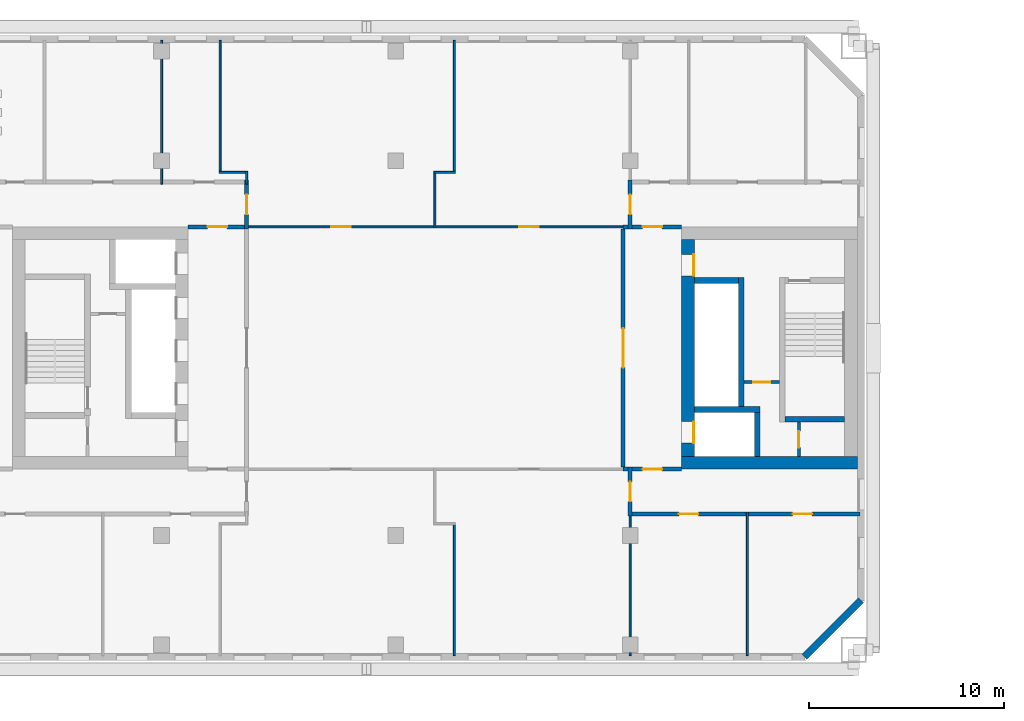
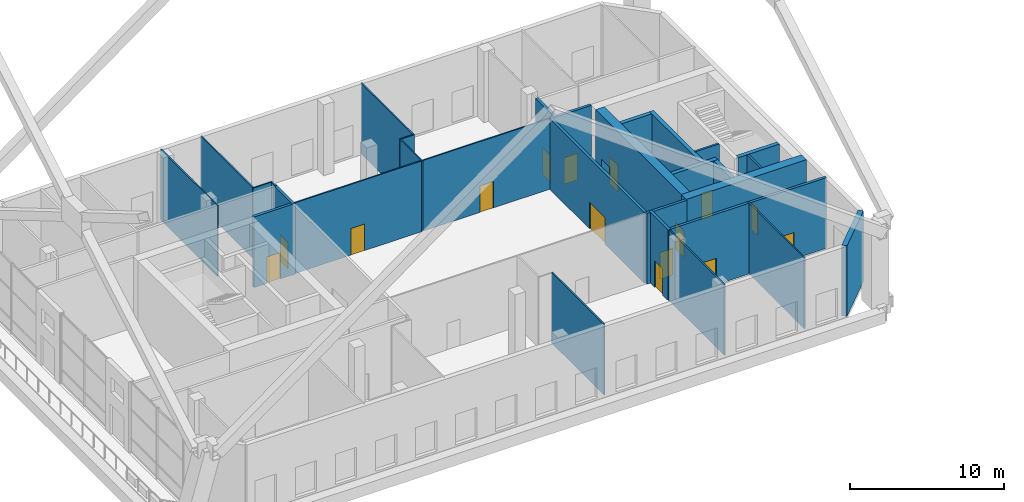
# One storey, part 11 of 20: 29 walls, 15 doors, 15 openings.
"""IFC4 building model written with IfcOpenShell, lengths in metres."""

import ifcopenshell
import ifcopenshell.guid

model = None  # the IFC model being written
_history = None  # IfcOwnerHistory: only IFC2X3 demands one
_inside = {}  # id of a spatial element -> (the spatial element, [elements in it])
_under = {}  # id of a project, library or spatial element -> (it, [spatial elements below it])
_declared = {}  # id of a project -> (the project, [libraries it declares])
_typed = {}  # id of a type object -> (the type object, [elements of that type])
_made_of = {}  # id of a material, layer set ... -> (it, [elements and type objects made of it])


def new_model(schema):
    """Start an empty IFC model of exactly this schema.

    Asked for "IFC4X3", IfcOpenShell would pick the latest addendum, in which some entities
    have other attributes; the version numbers below select the first issue.
    IFC2X3 requires an IfcOwnerHistory on every rooted entity: one is made here for all.
    """
    global model, _history
    if schema == "IFC4X3":
        model = ifcopenshell.file(schema_version=(4, 3, 0, 0))
    else:
        model = ifcopenshell.file(schema=schema)
    _inside.clear()
    _under.clear()
    _declared.clear()
    _typed.clear()
    _made_of.clear()
    _history = None
    if model.schema == "IFC2X3":
        org = make("IfcOrganization", Name="unknown")
        user = make(
            "IfcPersonAndOrganization",
            ThePerson=make("IfcPerson", FamilyName="unknown"),
            TheOrganization=org,
        )
        app = make(
            "IfcApplication",
            ApplicationDeveloper=org,
            Version="unknown",
            ApplicationFullName="unknown",
            ApplicationIdentifier="unknown",
        )
        _history = make(
            "IfcOwnerHistory",
            OwningUser=user,
            OwningApplication=app,
            ChangeAction="ADDED",
            CreationDate=0,
        )
    return model


def make(cls, **values):
    """One entity of the class cls with the attributes given. An attribute that is None is left unset."""
    return model.create_entity(
        cls, **{name: value for name, value in values.items() if value is not None}
    )


def rooted(cls, **values):
    """An entity with a GlobalId (a new one), such as an element, a storey or a relation."""
    return make(cls, GlobalId=ifcopenshell.guid.new(), OwnerHistory=_history, **values)


def si_unit(unit_type, name, prefix=None):
    """IfcSIUnit, for example si_unit("LENGTHUNIT", "METRE", prefix="MILLI")."""
    return make("IfcSIUnit", UnitType=unit_type, Prefix=prefix, Name=name)


def assignment(units):
    """IfcUnitAssignment: the units of a project."""
    return None if units is None else make("IfcUnitAssignment", Units=units)


def point(xyz):
    """IfcCartesianPoint."""
    return None if xyz is None else make("IfcCartesianPoint", Coordinates=xyz)


def direction(xyz):
    """IfcDirection."""
    return None if xyz is None else make("IfcDirection", DirectionRatios=xyz)


def frame(location, z_axis=None, x_axis=None):
    """IfcAxis2Placement3D, a coordinate frame: its origin and axes. An axis left out is left unset."""
    return make(
        "IfcAxis2Placement3D",
        Location=point(location),
        Axis=direction(z_axis),
        RefDirection=direction(x_axis),
    )


def frame_2d(location, x_axis=None):
    """IfcAxis2Placement2D, a coordinate frame in the plane: its origin and x axis."""
    return make(
        "IfcAxis2Placement2D", Location=point(location), RefDirection=direction(x_axis)
    )


def origin():
    """The frame at (0, 0, 0) with its axes left unset."""
    return frame((0.0, 0.0, 0.0))


def place(relative_to, where):
    """IfcLocalPlacement: puts the frame where relative to a parent placement (None: the world)."""
    return make(
        "IfcLocalPlacement", PlacementRelTo=relative_to, RelativePlacement=where
    )


def context(
    kind, dimensions, precision=None, world=None, true_north=None, identifier=None
):
    """IfcGeometricRepresentationContext, for example the 3D "Model" context."""
    return make(
        "IfcGeometricRepresentationContext",
        ContextIdentifier=identifier,
        ContextType=kind,
        CoordinateSpaceDimension=dimensions,
        Precision=precision,
        WorldCoordinateSystem=world,
        TrueNorth=true_north,
    )


def subcontext(parent, identifier, kind, view, scale=None):
    """IfcGeometricRepresentationSubContext, for example "Body" below "Model"."""
    return make(
        "IfcGeometricRepresentationSubContext",
        ContextIdentifier=identifier,
        ContextType=kind,
        ParentContext=parent,
        TargetScale=scale,
        TargetView=view,
    )


def project(units=None, contexts=None):
    """IfcProject with its units and contexts."""
    return rooted(
        "IfcProject",
        Name="project",
        RepresentationContexts=contexts,
        UnitsInContext=assignment(units),
    )


def spatial(cls, under=None, at=None, **own):
    """A site, building, storey or space (cls), placed at a placement, below another one or the project."""
    s = rooted(cls, ObjectPlacement=at, **own)
    if under is not None:
        _under.setdefault(under.id(), (under, []))[1].append(s)
    return s


def profile(cls, at=None, kind="AREA", **sizes):
    """A parametric profile (cls). Its sizes go by their IFC names, for example OverallWidth=200.0."""
    return make(cls, ProfileType=kind, Position=at, **sizes)


def rectangle(**sizes):
    """IfcRectangleProfileDef."""
    return profile("IfcRectangleProfileDef", **sizes)


def extrude(swept, where, along, depth):
    """IfcExtrudedAreaSolid: the profile swept, set in the frame where, extruded along a direction by depth."""
    return make(
        "IfcExtrudedAreaSolid",
        SweptArea=swept,
        Position=where,
        ExtrudedDirection=direction(along),
        Depth=depth,
    )


def shape(context_of_items, identifier, shape_type, items):
    """IfcShapeRepresentation: the items that make up one representation, for example the "Body"."""
    return make(
        "IfcShapeRepresentation",
        ContextOfItems=context_of_items,
        RepresentationIdentifier=identifier,
        RepresentationType=shape_type,
        Items=items,
    )


def material(Name=None, Category=None):
    """IfcMaterial."""
    return make("IfcMaterial", Name=Name, Category=Category)


def layer(
    of_material, thickness, ventilated=None, Name=None, Category=None, Priority=None
):
    """IfcMaterialLayer: one layer of a wall or slab, of a material (None: an air gap)."""
    return make(
        "IfcMaterialLayer",
        Material=of_material,
        LayerThickness=thickness,
        IsVentilated=ventilated,
        Name=Name,
        Category=Category,
        Priority=Priority,
    )


def layer_set(layers, Name=None):
    """IfcMaterialLayerSet."""
    return make("IfcMaterialLayerSet", MaterialLayers=layers, LayerSetName=Name)


def made_of(thing, what):
    """Note that an element or type object is made of a material, layer set ...; save() writes the relation."""
    if what is not None:
        _made_of.setdefault(what.id(), (what, []))[1].append(thing)
    return thing


def type_object(cls, material=None, **own):
    """A type object (cls), such as IfcWallType, which elements share."""
    return made_of(rooted(cls, **own), material)


def element(
    cls,
    number,
    at=None,
    inside=None,
    cuts=None,
    type_object=None,
    material=None,
    context=None,
    identifier="Body",
    shape_type=None,
    held_by="IfcProductDefinitionShape",
    body=None,
    shapes=None,
    **own,
):
    """One element of the class cls, such as IfcWall. Its Tag is "e" and its number.

    at: its placement. inside: the storey or other place that contains it. cuts: it is an
    opening in that element (IfcRelVoidsElement). A single representation is given by context,
    identifier, shape_type and body (its items); several are given by shapes. held_by: the class
    of the entity that holds the representations. save() writes the other relations.
    """
    e = rooted(cls, Tag="e%d" % number, ObjectPlacement=at, **own)
    if body is not None:
        shapes = [shape(context, identifier, shape_type, body)]
    if shapes is not None:
        e.Representation = make(held_by, Representations=shapes)
    if inside is not None:
        _inside.setdefault(inside.id(), (inside, []))[1].append(e)
    if cuts is not None:
        rooted(
            "IfcRelVoidsElement", RelatingBuildingElement=cuts, RelatedOpeningElement=e
        )
    if type_object is not None:
        _typed.setdefault(type_object.id(), (type_object, []))[1].append(e)
    return made_of(e, material)


def fill(opening, filler):
    """IfcRelFillsElement: the door or window that sits in an opening."""
    return rooted(
        "IfcRelFillsElement",
        RelatingOpeningElement=opening,
        RelatedBuildingElement=filler,
    )


def aggregate(whole, parts):
    """IfcRelAggregates: a whole, such as a stair, and the parts it consists of."""
    return rooted("IfcRelAggregates", RelatingObject=whole, RelatedObjects=parts)


def save(model, path):
    """Write the relations noted so far, then the file.

    IfcRelAggregates (storeys below a building ...), IfcRelContainedInSpatialStructure (elements
    in a storey), IfcRelDefinesByType, IfcRelAssociatesMaterial and IfcRelDeclares: one each for
    every whole, place, type object, material and project.
    """
    for whole, parts in _under.values():
        aggregate(whole, parts)
    for where, things in _inside.values():
        rooted(
            "IfcRelContainedInSpatialStructure",
            RelatedElements=things,
            RelatingStructure=where,
        )
    for kind, things in _typed.values():
        rooted("IfcRelDefinesByType", RelatedObjects=things, RelatingType=kind)
    for what, things in _made_of.values():
        rooted("IfcRelAssociatesMaterial", RelatedObjects=things, RelatingMaterial=what)
    for by, libraries in _declared.values():
        rooted("IfcRelDeclares", RelatingContext=by, RelatedDefinitions=libraries)
    model.write(path)


model = new_model("IFC4")

# Units and contexts
model_context = context("Model", 3, precision=1e-05, world=origin(), true_north=direction((0.0, 1.0)))
body_context = subcontext(model_context, "Body", "Model", "MODEL_VIEW")
ifc_project = project(units=[si_unit("LENGTHUNIT", "METRE"), si_unit("AREAUNIT", "SQUARE_METRE"), si_unit("VOLUMEUNIT", "CUBIC_METRE"), si_unit("PLANEANGLEUNIT", "RADIAN"), si_unit("MASSUNIT", "GRAM", prefix="KILO")], contexts=[model_context])

# Site, building, storey
site_placement = place(None, origin())
site = spatial("IfcSite", under=ifc_project, at=site_placement, CompositionType="ELEMENT")
building_placement = place(site_placement, origin())
building = spatial("IfcBuilding", under=site, at=building_placement, Name="Tuart Gate Housing", CompositionType="ELEMENT")
storey_placement = place(building_placement, frame((0.0, 0.0, 90.199951171875)))
storey = spatial("IfcBuildingStorey", under=building, at=storey_placement, Name="L25", CompositionType="ELEMENT", Elevation=90.199951171875)

# Wall
ifc_material_1 = material(Name="Brick", Category="masonry")
ifc_layer_1 = layer(ifc_material_1, 0.360107421875)
ifc_layer_set_1 = layer_set([ifc_layer_1], Name="Brick pier and spandrel wall 360")
wall_type_1 = type_object("IfcWallType", Name="Brick pier and spandrel wall 360", PredefinedType="STANDARD", material=ifc_layer_set_1)
wall_1_placement = place(storey_placement, frame((72.92529296875, 54.179931640625, 0.0), z_axis=(0.0, 0.0, 1.0), x_axis=(0.707106781187, 0.707106781187, 0.0)))
element("IfcWall", 1, at=wall_1_placement, inside=storey, type_object=wall_type_1, Name="External wall A-SE L25", PredefinedType="STANDARD", context=body_context, shape_type="SweptSolid", body=[
    extrude(rectangle(XDim=4.09375, YDim=0.360107421875, at=frame_2d((2.046875, 0.0))), origin(), (0.0, 0.0, 1.0), 5.60009765625),
])

# Wall, opening, door
ifc_material_2 = material(Name="Plasterboard partition")
ifc_layer_2 = layer(ifc_material_2, 0.14990234375)
ifc_layer_set_2 = layer_set([ifc_layer_2], Name="Core partition 150")
wall_type_2 = type_object("IfcWallType", Name="Core partition 150", PredefinedType="PARTITIONING", material=ifc_layer_set_2)
wall_2_placement = place(storey_placement, frame((69.840087890625, 68.25, 0.0), z_axis=(0.0, 0.0, 1.0), x_axis=(1.0, 0.0, 0.0)))
wall_2 = element("IfcWall", 2, at=wall_2_placement, inside=storey, type_object=wall_type_2, Name="Core partition AG.3", PredefinedType="PARTITIONING", context=body_context, shape_type="SweptSolid", body=[
    extrude(rectangle(XDim=1.7998046875, YDim=0.14990234375, at=frame_2d((0.89990234375, 0.0))), origin(), (0.0, 0.0, 1.0), 5.60009765625),
])
opening_1_placement = place(wall_2_placement, frame((0.47509765625, 0.0, 0.0)))
opening_1 = element("IfcOpeningElement", 3, at=opening_1_placement, cuts=wall_2, Name="Opening D2876", PredefinedType="OPENING", context=body_context, shape_type="SweptSolid", body=[
    extrude(rectangle(XDim=0.85009765625, YDim=2.10009765625, at=frame_2d((0.425048828125, 1.050048828125))), frame((0.0, 0.0849609375, 0.0), z_axis=(0.0, -1.0, 0.0), x_axis=(1.0, 0.0, 0.0)), (0.0, 0.0, 1.0), 0.169921875),
])
ifc_material_3 = material(Name="Steel fire door", Category="steel")
door_type_1 = type_object("IfcDoorType", Name="Riser door 850 x 2100 RH", OperationType="SINGLE_SWING_RIGHT", PredefinedType="DOOR", material=ifc_material_3)
door_1_placement = place(opening_1_placement, frame((0.85009765625, 0.0, 0.0), z_axis=(0.0, 0.0, 1.0), x_axis=(-1.0, 0.0, 0.0)))
door_1 = element("IfcDoor", 4, at=door_1_placement, inside=storey, type_object=door_type_1, Name="Service room door AG.E1", OperationType="SINGLE_SWING_RIGHT", OverallHeight=2.10009765625, OverallWidth=0.85009765625, PredefinedType="DOOR", context=body_context, shape_type="SweptSolid", body=[
    extrude(rectangle(XDim=0.85009765625, YDim=2.10009765625, at=frame_2d((0.425048828125, 1.050048828125))), frame((0.0, 0.025146484375, 0.0), z_axis=(0.0, -1.0, 0.0), x_axis=(1.0, 0.0, 0.0)), (0.0, 0.0, 1.0), 0.050048828125),
])
fill(opening_1, door_1)

wall_3_placement = place(storey_placement, frame((72.639892578125, 64.449951171875, 0.0), z_axis=(0.0, 0.0, 1.0), x_axis=(0.0, 1.0, 0.0)))
wall_3 = element("IfcWall", 5, at=wall_3_placement, inside=storey, type_object=wall_type_2, Name="Core partition AG.9", PredefinedType="PARTITIONING", context=body_context, shape_type="SweptSolid", body=[
    extrude(rectangle(XDim=1.75, YDim=0.14990234375, at=frame_2d((0.875, 0.0))), origin(), (0.0, 0.0, 1.0), 5.60009765625),
])
opening_2_placement = place(wall_3_placement, frame((0.449951171875, 0.0, 0.0)))
opening_2 = element("IfcOpeningElement", 6, at=opening_2_placement, cuts=wall_3, Name="Opening D2879", PredefinedType="OPENING", context=body_context, shape_type="SweptSolid", body=[
    extrude(rectangle(XDim=0.85009765625, YDim=2.10009765625, at=frame_2d((0.425048828125, 1.050048828125))), frame((0.0, 0.0849609375, 0.0), z_axis=(0.0, -1.0, 0.0), x_axis=(1.0, 0.0, 0.0)), (0.0, 0.0, 1.0), 0.169921875),
])
ifc_material_4 = material(Name="Steel fire door", Category="steel")
door_type_2 = type_object("IfcDoorType", Name="Service door 850 x 2100", OperationType="SINGLE_SWING_LEFT", PredefinedType="DOOR", material=ifc_material_4)
door_2_placement = place(opening_2_placement, origin())
door_2 = element("IfcDoor", 7, at=door_2_placement, inside=storey, type_object=door_type_2, Name="Service room door AG.E2", OperationType="SINGLE_SWING_LEFT", OverallHeight=2.10009765625, OverallWidth=0.85009765625, PredefinedType="DOOR", context=body_context, shape_type="SweptSolid", body=[
    extrude(rectangle(XDim=0.85009765625, YDim=2.10009765625, at=frame_2d((0.425048828125, 1.050048828125))), frame((0.0, 0.02490234375, 0.0), z_axis=(0.0, -1.0, 0.0), x_axis=(1.0, 0.0, 0.0)), (0.0, 0.0, 1.0), 0.050048828125),
])
fill(opening_2, door_2)

# Walls
ifc_material_5 = material(Name="Concrete C50", Category="concrete")
ifc_layer_3 = layer(ifc_material_5, 0.300048828125)
ifc_layer_set_3 = layer_set([ifc_layer_3], Name="Core wall 300 C50")
wall_type_3 = type_object("IfcWallType", Name="Core wall 300 C50", PredefinedType="SHEAR", material=ifc_layer_set_3)
wall_4_placement = place(storey_placement, frame((71.93994140625, 66.35009765625, 0.0), z_axis=(0.0, 0.0, 1.0), x_axis=(1.0, 0.0, 0.0)))
element("IfcWall", 8, at=wall_4_placement, inside=storey, type_object=wall_type_3, Name="Core wall AG.1", PredefinedType="SHEAR", context=body_context, shape_type="SweptSolid", body=[
    extrude(rectangle(XDim=3.050048828125, YDim=0.300048828125, at=frame_2d((1.52490234375, 0.0))), origin(), (0.0, 0.0, 1.0), 5.60009765625),
])
wall_5_placement = place(storey_placement, frame((67.2900390625, 66.85009765625, 0.0), z_axis=(0.0, 0.0, 1.0), x_axis=(1.0, 0.0, 0.0)))
element("IfcWall", 9, at=wall_5_placement, inside=storey, type_object=wall_type_3, Name="Core wall AG.2", PredefinedType="SHEAR", context=body_context, shape_type="SweptSolid", body=[
    extrude(rectangle(XDim=3.369873046875, YDim=0.300048828125, at=frame_2d((1.68505859375, 0.0))), origin(), (0.0, 0.0, 1.0), 5.60009765625),
])
wall_6_placement = place(storey_placement, frame((67.2900390625, 73.449951171875, 0.0), z_axis=(0.0, 0.0, 1.0), x_axis=(1.0, 0.0, 0.0)))
element("IfcWall", 10, at=wall_6_placement, inside=storey, type_object=wall_type_3, Name="Core wall AG.4", PredefinedType="SHEAR", context=body_context, shape_type="SweptSolid", body=[
    extrude(rectangle(XDim=2.25, YDim=0.300048828125, at=frame_2d((1.125, 0.0))), origin(), (0.0, 0.0, 1.0), 5.60009765625),
])
wall_7_placement = place(storey_placement, frame((69.68994140625, 67.0, 0.0), z_axis=(0.0, 0.0, 1.0), x_axis=(0.0, 1.0, 0.0)))
element("IfcWall", 11, at=wall_7_placement, inside=storey, type_object=wall_type_3, Name="Core wall AG.6", PredefinedType="SHEAR", context=body_context, shape_type="SweptSolid", body=[
    extrude(rectangle(XDim=6.60009765625, YDim=0.300048828125, at=frame_2d((3.300048828125, 0.0))), origin(), (0.0, 0.0, 1.0), 5.60009765625),
])
wall_8_placement = place(storey_placement, frame((70.510009765625, 64.449951171875, 0.0), z_axis=(0.0, 0.0, 1.0), x_axis=(0.0, 1.0, 0.0)))
element("IfcWall", 12, at=wall_8_placement, inside=storey, type_object=wall_type_3, Name="Core wall AG.7", PredefinedType="SHEAR", context=body_context, shape_type="SweptSolid", body=[
    extrude(rectangle(XDim=2.25, YDim=0.300048828125, at=frame_2d((1.125, 0.0))), origin(), (0.0, 0.0, 1.0), 5.60009765625),
])

# Wall, openings, doors
ifc_material_6 = material(Name="Concrete C50", Category="concrete")
ifc_layer_4 = layer(ifc_material_6, 0.64990234375)
ifc_layer_set_4 = layer_set([ifc_layer_4], Name="Core wall 650 C50")
wall_type_4 = type_object("IfcWallType", Name="Core wall 650 C50", PredefinedType="SHEAR", material=ifc_layer_set_4)
wall_9_placement = place(storey_placement, frame((66.965087890625, 64.449951171875, 0.0), z_axis=(0.0, 0.0, 1.0), x_axis=(0.0, 1.0, 0.0)))
wall_9 = element("IfcWall", 13, at=wall_9_placement, inside=storey, type_object=wall_type_4, Name="Core wall AG front", PredefinedType="SHEAR", context=body_context, shape_type="SweptSolid", body=[
    extrude(rectangle(XDim=11.10009765625, YDim=0.64990234375, at=frame_2d((5.550048828125, 0.0))), origin(), (0.0, 0.0, 1.0), 5.60009765625),
])
opening_3_placement = place(wall_9_placement, frame((0.675048828125, 0.0, 0.0)))
opening_3 = element("IfcOpeningElement", 14, at=opening_3_placement, cuts=wall_9, Name="Opening LD-FA1", PredefinedType="OPENING", context=body_context, shape_type="SweptSolid", body=[
    extrude(rectangle(XDim=1.10009765625, YDim=2.10009765625, at=frame_2d((0.550048828125, 1.050048828125))), frame((0.0, 0.3349609375, 0.0), z_axis=(0.0, -1.0, 0.0), x_axis=(1.0, 0.0, 0.0)), (0.0, 0.0, 1.0), 0.669921875),
])
opening_4_placement = place(wall_9_placement, frame((9.25, 0.0, 0.0)))
opening_4 = element("IfcOpeningElement", 15, at=opening_4_placement, cuts=wall_9, Name="Opening D2875", PredefinedType="OPENING", context=body_context, shape_type="SweptSolid", body=[
    extrude(rectangle(XDim=1.10009765625, YDim=2.10009765625, at=frame_2d((0.550048828125, 1.050048828125))), frame((0.0, 0.3349609375, 0.0), z_axis=(0.0, -1.0, 0.0), x_axis=(1.0, 0.0, 0.0)), (0.0, 0.0, 1.0), 0.669921875),
])
ifc_material_7 = material(Name="Stainless steel", Category="steel")
door_type_3 = type_object("IfcDoorType", Name="Landing door 1100 x 2100", OperationType="DOUBLE_DOOR_SLIDING", PredefinedType="DOOR", material=ifc_material_7)
door_3_placement = place(opening_3_placement, origin())
door_3 = element("IfcDoor", 16, at=door_3_placement, inside=storey, type_object=door_type_3, Name="Lift landing door FA1", OperationType="DOUBLE_DOOR_SLIDING", OverallHeight=2.10009765625, OverallWidth=1.10009765625, PredefinedType="DOOR", context=body_context, shape_type="SweptSolid", body=[
    extrude(rectangle(XDim=1.10009765625, YDim=2.10009765625, at=frame_2d((0.550048828125, 1.050048828125))), frame((0.0, -0.259765625, 0.0), z_axis=(0.0, -1.0, 0.0), x_axis=(1.0, 0.0, 0.0)), (0.0, 0.0, 1.0), 0.050048828125),
])
fill(opening_3, door_3)
ifc_material_8 = material(Name="Steel fire door", Category="steel")
door_type_4 = type_object("IfcDoorType", Name="Lobby door 1100 x 2100 RH", OperationType="SINGLE_SWING_RIGHT", PredefinedType="DOOR", material=ifc_material_8)
door_4_placement = place(opening_4_placement, frame((1.10009765625, 0.0, 0.0), z_axis=(0.0, 0.0, 1.0), x_axis=(-1.0, 0.0, 0.0)))
door_4 = element("IfcDoor", 17, at=door_4_placement, inside=storey, type_object=door_type_4, Name="Lobby entry door AG.EN", OperationType="SINGLE_SWING_RIGHT", OverallHeight=2.10009765625, OverallWidth=1.10009765625, PredefinedType="DOOR", context=body_context, shape_type="SweptSolid", body=[
    extrude(rectangle(XDim=1.10009765625, YDim=2.10009765625, at=frame_2d((0.550048828125, 1.050048828125))), frame((0.0, 0.309814453125, 0.0), z_axis=(0.0, -1.0, 0.0), x_axis=(1.0, 0.0, 0.0)), (0.0, 0.0, 1.0), 0.050048828125),
])
fill(opening_4, door_4)

# Wall
wall_10_placement = place(storey_placement, frame((66.639892578125, 64.125, 0.0), z_axis=(0.0, 0.0, 1.0), x_axis=(1.0, 0.0, 0.0)))
element("IfcWall", 18, at=wall_10_placement, inside=storey, type_object=wall_type_4, Name="Core wall AG south", PredefinedType="SHEAR", context=body_context, shape_type="SweptSolid", body=[
    extrude(rectangle(XDim=9.0, YDim=0.64990234375, at=frame_2d((4.5, 0.0))), origin(), (0.0, 0.0, 1.0), 5.60009765625),
])

# Wall, openings, doors
ifc_material_9 = material(Name="Concrete masonry 15 MPa", Category="masonry")
ifc_layer_5 = layer(ifc_material_9, 0.199951171875)
ifc_layer_set_5 = layer_set([ifc_layer_5], Name="Corridor wall masonry 200")
wall_type_5 = type_object("IfcWallType", Name="Corridor wall masonry 200", PredefinedType="PARTITIONING", material=ifc_layer_set_5)
wall_11_placement = place(storey_placement, frame((63.89990234375, 61.5, 0.0), z_axis=(0.0, 0.0, 1.0), x_axis=(1.0, 0.0, 0.0)))
wall_11 = element("IfcWall", 19, at=wall_11_placement, inside=storey, type_object=wall_type_5, Name="Corridor wall masonry 200", PredefinedType="PARTITIONING", context=body_context, shape_type="SweptSolid", body=[
    extrude(rectangle(XDim=11.860107421875, YDim=0.199951171875, at=frame_2d((5.93017578125, 0.0))), origin(), (0.0, 0.0, 1.0), 5.60009765625),
])
opening_5_placement = place(wall_11_placement, frame((2.60009765625, 0.0, 0.0)))
opening_5 = element("IfcOpeningElement", 20, at=opening_5_placement, cuts=wall_11, Name="Opening D2890", PredefinedType="OPENING", context=body_context, shape_type="SweptSolid", body=[
    extrude(rectangle(XDim=1.0, YDim=2.10009765625, at=frame_2d((0.5, 1.050048828125))), frame((0.0, 0.10986328125, 0.0), z_axis=(0.0, -1.0, 0.0), x_axis=(1.0, 0.0, 0.0)), (0.0, 0.0, 1.0), 0.219970703125),
])
opening_6_placement = place(wall_11_placement, frame((8.419921875, 0.0, 0.0)))
opening_6 = element("IfcOpeningElement", 21, at=opening_6_placement, cuts=wall_11, Name="Opening D2891", PredefinedType="OPENING", context=body_context, shape_type="SweptSolid", body=[
    extrude(rectangle(XDim=1.0, YDim=2.10009765625, at=frame_2d((0.5, 1.050048828125))), frame((0.0, 0.10986328125, 0.0), z_axis=(0.0, -1.0, 0.0), x_axis=(1.0, 0.0, 0.0)), (0.0, 0.0, 1.0), 0.219970703125),
])
ifc_material_10 = material(Name="Timber door leaf in steel frame", Category="steel")
door_type_5 = type_object("IfcDoorType", Name="Fire door 1000 RH", OperationType="SINGLE_SWING_RIGHT", PredefinedType="DOOR", material=ifc_material_10)
door_5_placement = place(opening_5_placement, frame((1.0, 0.0, 0.0), z_axis=(0.0, 0.0, 1.0), x_axis=(-1.0, 0.0, 0.0)))
door_5 = element("IfcDoor", 22, at=door_5_placement, inside=storey, type_object=door_type_5, Name="Fire door 1000", OperationType="SINGLE_SWING_RIGHT", OverallHeight=2.10009765625, OverallWidth=1.0, PredefinedType="DOOR", context=body_context, shape_type="SweptSolid", body=[
    extrude(rectangle(XDim=1.0, YDim=2.10009765625, at=frame_2d((0.5, 1.050048828125))), frame((0.0, 0.025146484375, 0.0), z_axis=(0.0, -1.0, 0.0), x_axis=(1.0, 0.0, 0.0)), (0.0, 0.0, 1.0), 0.050048828125),
])
fill(opening_5, door_5)
door_6_placement = place(opening_6_placement, frame((1.0, 0.0, 0.0), z_axis=(0.0, 0.0, 1.0), x_axis=(-1.0, 0.0, 0.0)))
door_6 = element("IfcDoor", 23, at=door_6_placement, inside=storey, type_object=door_type_5, Name="Fire door 1000", OperationType="SINGLE_SWING_RIGHT", OverallHeight=2.10009765625, OverallWidth=1.0, PredefinedType="DOOR", context=body_context, shape_type="SweptSolid", body=[
    extrude(rectangle(XDim=1.0, YDim=2.10009765625, at=frame_2d((0.5, 1.050048828125))), frame((0.0, 0.025146484375, 0.0), z_axis=(0.0, -1.0, 0.0), x_axis=(1.0, 0.0, 0.0)), (0.0, 0.0, 1.0), 0.050048828125),
])
fill(opening_6, door_6)

# Wall, opening, door
wall_12_placement = place(storey_placement, frame((44.360107421875, 76.10009765625, 0.0), z_axis=(0.0, 0.0, 1.0), x_axis=(0.0, 1.0, 0.0)))
wall_12 = element("IfcWall", 24, at=wall_12_placement, inside=storey, type_object=wall_type_5, Name="Corridor wall masonry 200", PredefinedType="PARTITIONING", context=body_context, shape_type="SweptSolid", body=[
    extrude(rectangle(XDim=2.501953125, YDim=0.199951171875, at=frame_2d((1.2509765625, 0.0))), origin(), (0.0, 0.0, 1.0), 5.60009765625),
])
opening_7_placement = place(wall_12_placement, frame((0.7509765625, 0.0, 0.0)))
opening_7 = element("IfcOpeningElement", 25, at=opening_7_placement, cuts=wall_12, Name="Opening D2862", PredefinedType="OPENING", context=body_context, shape_type="SweptSolid", body=[
    extrude(rectangle(XDim=1.0, YDim=2.10009765625, at=frame_2d((0.5, 1.050048828125))), frame((0.0, 0.10986328125, 0.0), z_axis=(0.0, -1.0, 0.0), x_axis=(1.0, 0.0, 0.0)), (0.0, 0.0, 1.0), 0.219970703125),
])
door_7_placement = place(opening_7_placement, frame((1.0, 0.0, 0.0), z_axis=(0.0, 0.0, 1.0), x_axis=(-1.0, 0.0, 0.0)))
door_7 = element("IfcDoor", 26, at=door_7_placement, inside=storey, type_object=door_type_5, Name="Fire door 1000", OperationType="SINGLE_SWING_RIGHT", OverallHeight=2.10009765625, OverallWidth=1.0, PredefinedType="DOOR", context=body_context, shape_type="SweptSolid", body=[
    extrude(rectangle(XDim=1.0, YDim=2.10009765625, at=frame_2d((0.5, 1.050048828125))), frame((0.0, 0.025146484375, 0.0), z_axis=(0.0, -1.0, 0.0), x_axis=(1.0, 0.0, 0.0)), (0.0, 0.0, 1.0), 0.050048828125),
])
fill(opening_7, door_7)

wall_13_placement = place(storey_placement, frame((64.0, 61.39794921875, 0.0), z_axis=(0.0, 0.0, 1.0), x_axis=(0.0, 1.0, 0.0)))
wall_13 = element("IfcWall", 27, at=wall_13_placement, inside=storey, type_object=wall_type_5, Name="Corridor wall masonry 200", PredefinedType="PARTITIONING", context=body_context, shape_type="SweptSolid", body=[
    extrude(rectangle(XDim=2.501953125, YDim=0.199951171875, at=frame_2d((1.2509765625, 0.0))), origin(), (0.0, 0.0, 1.0), 5.60009765625),
])
opening_8_placement = place(wall_13_placement, frame((0.7509765625, 0.0, 0.0)))
opening_8 = element("IfcOpeningElement", 28, at=opening_8_placement, cuts=wall_13, Name="Opening D2886", PredefinedType="OPENING", context=body_context, shape_type="SweptSolid", body=[
    extrude(rectangle(XDim=1.0, YDim=2.10009765625, at=frame_2d((0.5, 1.050048828125))), frame((0.0, 0.10986328125, 0.0), z_axis=(0.0, -1.0, 0.0), x_axis=(1.0, 0.0, 0.0)), (0.0, 0.0, 1.0), 0.219970703125),
])
door_8_placement = place(opening_8_placement, origin())
door_8 = element("IfcDoor", 29, at=door_8_placement, inside=storey, type_object=door_type_5, Name="Fire door 1000", OperationType="SINGLE_SWING_RIGHT", OverallHeight=2.10009765625, OverallWidth=1.0, PredefinedType="DOOR", context=body_context, shape_type="SweptSolid", body=[
    extrude(rectangle(XDim=1.0, YDim=2.10009765625, at=frame_2d((0.5, 1.050048828125))), frame((0.0, 0.02490234375, 0.0), z_axis=(0.0, -1.0, 0.0), x_axis=(1.0, 0.0, 0.0)), (0.0, 0.0, 1.0), 0.050048828125),
])
fill(opening_8, door_8)

wall_14_placement = place(storey_placement, frame((64.0, 76.10009765625, 0.0), z_axis=(0.0, 0.0, 1.0), x_axis=(0.0, 1.0, 0.0)))
wall_14 = element("IfcWall", 30, at=wall_14_placement, inside=storey, type_object=wall_type_5, Name="Corridor wall masonry 200", PredefinedType="PARTITIONING", context=body_context, shape_type="SweptSolid", body=[
    extrude(rectangle(XDim=2.501953125, YDim=0.199951171875, at=frame_2d((1.2509765625, 0.0))), origin(), (0.0, 0.0, 1.0), 5.60009765625),
])
opening_9_placement = place(wall_14_placement, frame((0.7509765625, 0.0, 0.0)))
opening_9 = element("IfcOpeningElement", 31, at=opening_9_placement, cuts=wall_14, Name="Opening D2863", PredefinedType="OPENING", context=body_context, shape_type="SweptSolid", body=[
    extrude(rectangle(XDim=1.0, YDim=2.10009765625, at=frame_2d((0.5, 1.050048828125))), frame((0.0, 0.10986328125, 0.0), z_axis=(0.0, -1.0, 0.0), x_axis=(1.0, 0.0, 0.0)), (0.0, 0.0, 1.0), 0.219970703125),
])
ifc_material_11 = material(Name="Timber door leaf in steel frame", Category="steel")
door_type_6 = type_object("IfcDoorType", Name="Fire door 1000", OperationType="SINGLE_SWING_LEFT", PredefinedType="DOOR", material=ifc_material_11)
door_9_placement = place(opening_9_placement, origin())
door_9 = element("IfcDoor", 32, at=door_9_placement, inside=storey, type_object=door_type_6, Name="Fire door 1000", OperationType="SINGLE_SWING_LEFT", OverallHeight=2.10009765625, OverallWidth=1.0, PredefinedType="DOOR", context=body_context, shape_type="SweptSolid", body=[
    extrude(rectangle(XDim=1.0, YDim=2.10009765625, at=frame_2d((0.5, 1.050048828125))), frame((0.0, 0.02490234375, 0.0), z_axis=(0.0, -1.0, 0.0), x_axis=(1.0, 0.0, 0.0)), (0.0, 0.0, 1.0), 0.050048828125),
])
fill(opening_9, door_9)

ifc_material_12 = material(Name="Concrete masonry 15 MPa", Category="masonry")
ifc_layer_6 = layer(ifc_material_12, 0.199951171875)
ifc_layer_set_6 = layer_set([ifc_layer_6], Name="Enclosure wall masonry 200")
wall_type_6 = type_object("IfcWallType", Name="Enclosure wall masonry 200", PredefinedType="PARTITIONING", material=ifc_layer_set_6)
wall_15_placement = place(storey_placement, frame((63.639892578125, 63.800048828125, 0.0), z_axis=(0.0, 0.0, 1.0), x_axis=(1.0, 0.0, 0.0)))
wall_15 = element("IfcWall", 33, at=wall_15_placement, inside=storey, type_object=wall_type_6, Name="Enclosure wall masonry 200", PredefinedType="PARTITIONING", context=body_context, shape_type="SweptSolid", body=[
    extrude(rectangle(XDim=3.0, YDim=0.199951171875, at=frame_2d((1.5, 0.0))), origin(), (0.0, 0.0, 1.0), 5.60009765625),
])
opening_10_placement = place(wall_15_placement, frame((1.0, 0.0, 0.0)))
opening_10 = element("IfcOpeningElement", 34, at=opening_10_placement, cuts=wall_15, Name="Opening D2884", PredefinedType="OPENING", context=body_context, shape_type="SweptSolid", body=[
    extrude(rectangle(XDim=1.0, YDim=2.10009765625, at=frame_2d((0.5, 1.050048828125))), frame((0.0, 0.10986328125, 0.0), z_axis=(0.0, -1.0, 0.0), x_axis=(1.0, 0.0, 0.0)), (0.0, 0.0, 1.0), 0.219970703125),
])
ifc_material_13 = material(Name="Timber door leaf in steel frame", Category="steel")
door_type_7 = type_object("IfcDoorType", Name="Lobby door 1000 RH", OperationType="SINGLE_SWING_RIGHT", PredefinedType="DOOR", material=ifc_material_13)
door_10_placement = place(opening_10_placement, frame((1.0, 0.0, 0.0), z_axis=(0.0, 0.0, 1.0), x_axis=(-1.0, 0.0, 0.0)))
door_10 = element("IfcDoor", 35, at=door_10_placement, inside=storey, type_object=door_type_7, Name="Lobby door 1000", OperationType="SINGLE_SWING_RIGHT", OverallHeight=2.10009765625, OverallWidth=1.0, PredefinedType="DOOR", context=body_context, shape_type="SweptSolid", body=[
    extrude(rectangle(XDim=1.0, YDim=2.10009765625, at=frame_2d((0.5, 1.050048828125))), frame((0.0, 0.025146484375, 0.0), z_axis=(0.0, -1.0, 0.0), x_axis=(1.0, 0.0, 0.0)), (0.0, 0.0, 1.0), 0.050048828125),
])
fill(opening_10, door_10)

wall_16_placement = place(storey_placement, frame((41.360107421875, 76.199951171875, 0.0), z_axis=(0.0, 0.0, 1.0), x_axis=(1.0, 0.0, 0.0)))
wall_16 = element("IfcWall", 36, at=wall_16_placement, inside=storey, type_object=wall_type_6, Name="Enclosure wall masonry 200", PredefinedType="PARTITIONING", context=body_context, shape_type="SweptSolid", body=[
    extrude(rectangle(XDim=3.099853515625, YDim=0.199951171875, at=frame_2d((1.5498046875, 0.0))), origin(), (0.0, 0.0, 1.0), 5.60009765625),
])
opening_11_placement = place(wall_16_placement, frame((1.0, 0.0, 0.0)))
opening_11 = element("IfcOpeningElement", 37, at=opening_11_placement, cuts=wall_16, Name="Opening D2864", PredefinedType="OPENING", context=body_context, shape_type="SweptSolid", body=[
    extrude(rectangle(XDim=1.0, YDim=2.10009765625, at=frame_2d((0.5, 1.050048828125))), frame((0.0, 0.10986328125, 0.0), z_axis=(0.0, -1.0, 0.0), x_axis=(1.0, 0.0, 0.0)), (0.0, 0.0, 1.0), 0.219970703125),
])
door_11_placement = place(opening_11_placement, origin())
door_11 = element("IfcDoor", 38, at=door_11_placement, inside=storey, type_object=door_type_7, Name="Lobby door 1000", OperationType="SINGLE_SWING_RIGHT", OverallHeight=2.10009765625, OverallWidth=1.0, PredefinedType="DOOR", context=body_context, shape_type="SweptSolid", body=[
    extrude(rectangle(XDim=1.0, YDim=2.10009765625, at=frame_2d((0.5, 1.050048828125))), frame((0.0, 0.02490234375, 0.0), z_axis=(0.0, -1.0, 0.0), x_axis=(1.0, 0.0, 0.0)), (0.0, 0.0, 1.0), 0.050048828125),
])
fill(opening_11, door_11)

wall_17_placement = place(storey_placement, frame((63.639892578125, 76.199951171875, 0.0), z_axis=(0.0, 0.0, 1.0), x_axis=(1.0, 0.0, 0.0)))
wall_17 = element("IfcWall", 39, at=wall_17_placement, inside=storey, type_object=wall_type_6, Name="Enclosure wall masonry 200", PredefinedType="PARTITIONING", context=body_context, shape_type="SweptSolid", body=[
    extrude(rectangle(XDim=3.0, YDim=0.199951171875, at=frame_2d((1.5, 0.0))), origin(), (0.0, 0.0, 1.0), 5.60009765625),
])
opening_12_placement = place(wall_17_placement, frame((1.0, 0.0, 0.0)))
opening_12 = element("IfcOpeningElement", 40, at=opening_12_placement, cuts=wall_17, Name="Opening D2867", PredefinedType="OPENING", context=body_context, shape_type="SweptSolid", body=[
    extrude(rectangle(XDim=1.0, YDim=2.10009765625, at=frame_2d((0.5, 1.050048828125))), frame((0.0, 0.10986328125, 0.0), z_axis=(0.0, -1.0, 0.0), x_axis=(1.0, 0.0, 0.0)), (0.0, 0.0, 1.0), 0.219970703125),
])
ifc_material_14 = material(Name="Timber door leaf in steel frame", Category="steel")
door_type_8 = type_object("IfcDoorType", Name="Lobby door 1000", OperationType="SINGLE_SWING_LEFT", PredefinedType="DOOR", material=ifc_material_14)
door_12_placement = place(opening_12_placement, origin())
door_12 = element("IfcDoor", 41, at=door_12_placement, inside=storey, type_object=door_type_8, Name="Lobby door 1000", OperationType="SINGLE_SWING_LEFT", OverallHeight=2.10009765625, OverallWidth=1.0, PredefinedType="DOOR", context=body_context, shape_type="SweptSolid", body=[
    extrude(rectangle(XDim=1.0, YDim=2.10009765625, at=frame_2d((0.5, 1.050048828125))), frame((0.0, 0.02490234375, 0.0), z_axis=(0.0, -1.0, 0.0), x_axis=(1.0, 0.0, 0.0)), (0.0, 0.0, 1.0), 0.050048828125),
])
fill(opening_12, door_12)

ifc_material_15 = material(Name="Plasterboard partition")
ifc_layer_7 = layer(ifc_material_15, 0.199951171875)
ifc_layer_set_7 = layer_set([ifc_layer_7], Name="Lobby wall 200")
wall_type_7 = type_object("IfcWallType", Name="Lobby wall 200", PredefinedType="PARTITIONING", material=ifc_layer_set_7)
wall_18_placement = place(storey_placement, frame((63.639892578125, 63.89990234375, 0.0), z_axis=(0.0, 0.0, 1.0), x_axis=(0.0, 1.0, 0.0)))
wall_18 = element("IfcWall", 42, at=wall_18_placement, inside=storey, type_object=wall_type_7, Name="Lift lobby wall AG", PredefinedType="PARTITIONING", context=body_context, shape_type="SweptSolid", body=[
    extrude(rectangle(XDim=12.2001953125, YDim=0.199951171875, at=frame_2d((6.10009765625, 0.0))), origin(), (0.0, 0.0, 1.0), 5.60009765625),
])
opening_13_placement = place(wall_18_placement, frame((5.10009765625, 0.0, 0.0)))
opening_13 = element("IfcOpeningElement", 43, at=opening_13_placement, cuts=wall_18, Name="Opening D2874", PredefinedType="OPENING", context=body_context, shape_type="SweptSolid", body=[
    extrude(rectangle(XDim=2.0, YDim=2.10009765625, at=frame_2d((1.0, 1.050048828125))), frame((0.0, 0.10986328125, 0.0), z_axis=(0.0, -1.0, 0.0), x_axis=(1.0, 0.0, 0.0)), (0.0, 0.0, 1.0), 0.219970703125),
])
ifc_material_16 = material(Name="Steel fire door", Category="steel")
door_type_9 = type_object("IfcDoorType", Name="Smoke door 2000 x 2100", OperationType="DOUBLE_DOOR_SINGLE_SWING", PredefinedType="DOOR", material=ifc_material_16)
door_13_placement = place(opening_13_placement, frame((2.0, 0.0, 0.0), z_axis=(0.0, 0.0, 1.0), x_axis=(-1.0, 0.0, 0.0)))
door_13 = element("IfcDoor", 44, at=door_13_placement, inside=storey, type_object=door_type_9, Name="Lift lobby smoke door AG", OperationType="DOUBLE_DOOR_SINGLE_SWING", OverallHeight=2.10009765625, OverallWidth=2.0, PredefinedType="DOOR", context=body_context, shape_type="SweptSolid", body=[
    extrude(rectangle(XDim=2.0, YDim=2.10009765625, at=frame_2d((1.0, 1.050048828125))), frame((0.0, 0.025146484375, 0.0), z_axis=(0.0, -1.0, 0.0), x_axis=(1.0, 0.0, 0.0)), (0.0, 0.0, 1.0), 0.050048828125),
])
fill(opening_13, door_13)

# Wall, openings, doors
ifc_material_17 = material(Name="Gypsum board on steel studs", Category="steel")
ifc_layer_8 = layer(ifc_material_17, 0.10009765625)
ifc_layer_set_8 = layer_set([ifc_layer_8], Name="Partition 100")
wall_type_8 = type_object("IfcWallType", Name="Partition 100", PredefinedType="PARTITIONING", material=ifc_layer_set_8)
wall_19_placement = place(storey_placement, frame((44.260009765625, 76.199951171875, 0.0), z_axis=(0.0, 0.0, 1.0), x_axis=(1.0, 0.0, 0.0)))
wall_19 = element("IfcWall", 45, at=wall_19_placement, inside=storey, type_object=wall_type_8, Name="Partition 100", PredefinedType="PARTITIONING", context=body_context, shape_type="SweptSolid", body=[
    extrude(rectangle(XDim=19.3798828125, YDim=0.10009765625, at=frame_2d((9.68994140625, 0.0))), origin(), (0.0, 0.0, 1.0), 5.60009765625),
])
opening_14_placement = place(wall_19_placement, frame((4.419921875, 0.0, 0.0)))
opening_14 = element("IfcOpeningElement", 46, at=opening_14_placement, cuts=wall_19, Name="Opening D2865", PredefinedType="OPENING", context=body_context, shape_type="SweptSolid", body=[
    extrude(rectangle(XDim=1.0, YDim=2.10009765625, at=frame_2d((0.5, 1.050048828125))), frame((0.0, 0.06005859375, 0.0), z_axis=(0.0, -1.0, 0.0), x_axis=(1.0, 0.0, 0.0)), (0.0, 0.0, 1.0), 0.1201171875),
])
opening_15_placement = place(wall_19_placement, frame((14.06005859375, 0.0, 0.0)))
opening_15 = element("IfcOpeningElement", 47, at=opening_15_placement, cuts=wall_19, Name="Opening D2866", PredefinedType="OPENING", context=body_context, shape_type="SweptSolid", body=[
    extrude(rectangle(XDim=1.0, YDim=2.10009765625, at=frame_2d((0.5, 1.050048828125))), frame((0.0, 0.06005859375, 0.0), z_axis=(0.0, -1.0, 0.0), x_axis=(1.0, 0.0, 0.0)), (0.0, 0.0, 1.0), 0.1201171875),
])
ifc_material_18 = material(Name="Timber door leaf in steel frame", Category="steel")
door_type_10 = type_object("IfcDoorType", Name="Internal door 1000", OperationType="SINGLE_SWING_LEFT", PredefinedType="DOOR", material=ifc_material_18)
door_14_placement = place(opening_14_placement, origin())
door_14 = element("IfcDoor", 48, at=door_14_placement, inside=storey, type_object=door_type_10, Name="Internal door 1000", OperationType="SINGLE_SWING_LEFT", OverallHeight=2.10009765625, OverallWidth=1.0, PredefinedType="DOOR", context=body_context, shape_type="SweptSolid", body=[
    extrude(rectangle(XDim=1.0, YDim=2.10009765625, at=frame_2d((0.5, 1.050048828125))), frame((0.0, 0.02490234375, 0.0), z_axis=(0.0, -1.0, 0.0), x_axis=(1.0, 0.0, 0.0)), (0.0, 0.0, 1.0), 0.050048828125),
])
fill(opening_14, door_14)
door_15_placement = place(opening_15_placement, origin())
door_15 = element("IfcDoor", 49, at=door_15_placement, inside=storey, type_object=door_type_10, Name="Internal door 1000", OperationType="SINGLE_SWING_LEFT", OverallHeight=2.10009765625, OverallWidth=1.0, PredefinedType="DOOR", context=body_context, shape_type="SweptSolid", body=[
    extrude(rectangle(XDim=1.0, YDim=2.10009765625, at=frame_2d((0.5, 1.050048828125))), frame((0.0, 0.02490234375, 0.0), z_axis=(0.0, -1.0, 0.0), x_axis=(1.0, 0.0, 0.0)), (0.0, 0.0, 1.0), 0.050048828125),
])
fill(opening_15, door_15)

# Walls
wall_20_placement = place(storey_placement, frame((42.949951171875, 79.0, 0.0), z_axis=(0.0, 0.0, 1.0), x_axis=(1.0, 0.0, 0.0)))
element("IfcWall", 50, at=wall_20_placement, inside=storey, type_object=wall_type_8, Name="Partition 100", PredefinedType="PARTITIONING", context=body_context, shape_type="SweptSolid", body=[
    extrude(rectangle(XDim=1.4599609375, YDim=0.10009765625, at=frame_2d((0.72998046875, 0.0))), origin(), (0.0, 0.0, 1.0), 5.60009765625),
])
wall_21_placement = place(storey_placement, frame((53.949951171875, 79.0, 0.0), z_axis=(0.0, 0.0, 1.0), x_axis=(1.0, 0.0, 0.0)))
element("IfcWall", 51, at=wall_21_placement, inside=storey, type_object=wall_type_8, Name="Partition 100", PredefinedType="PARTITIONING", context=body_context, shape_type="SweptSolid", body=[
    extrude(rectangle(XDim=1.10009765625, YDim=0.10009765625, at=frame_2d((0.550048828125, 0.0))), origin(), (0.0, 0.0, 1.0), 5.60009765625),
])
wall_22_placement = place(storey_placement, frame((40.0, 78.39990234375, 0.0), z_axis=(0.0, 0.0, 1.0), x_axis=(0.0, 1.0, 0.0)))
element("IfcWall", 52, at=wall_22_placement, inside=storey, type_object=wall_type_8, Name="Partition 100", PredefinedType="PARTITIONING", context=body_context, shape_type="SweptSolid", body=[
    extrude(rectangle(XDim=7.360107421875, YDim=0.10009765625, at=frame_2d((3.68017578125, 0.0))), origin(), (0.0, 0.0, 1.0), 5.60009765625),
])
wall_23_placement = place(storey_placement, frame((43.0, 78.949951171875, 0.0), z_axis=(0.0, 0.0, 1.0), x_axis=(0.0, 1.0, 0.0)))
element("IfcWall", 53, at=wall_23_placement, inside=storey, type_object=wall_type_8, Name="Partition 100", PredefinedType="PARTITIONING", context=body_context, shape_type="SweptSolid", body=[
    extrude(rectangle(XDim=6.81005859375, YDim=0.10009765625, at=frame_2d((3.405029296875, 0.0))), origin(), (0.0, 0.0, 1.0), 5.60009765625),
])
wall_24_placement = place(storey_placement, frame((44.360107421875, 78.39794921875, 0.0), z_axis=(0.0, 0.0, 1.0), x_axis=(0.0, 1.0, 0.0)))
element("IfcWall", 54, at=wall_24_placement, inside=storey, type_object=wall_type_8, Name="Partition 100", PredefinedType="PARTITIONING", context=body_context, shape_type="SweptSolid", body=[
    extrude(rectangle(XDim=0.652099609375, YDim=0.10009765625, at=frame_2d((0.326171875, 0.0))), origin(), (0.0, 0.0, 1.0), 5.60009765625),
])
wall_25_placement = place(storey_placement, frame((54.0, 76.14990234375, 0.0), z_axis=(0.0, 0.0, 1.0), x_axis=(0.0, 1.0, 0.0)))
element("IfcWall", 55, at=wall_25_placement, inside=storey, type_object=wall_type_8, Name="Partition 100", PredefinedType="PARTITIONING", context=body_context, shape_type="SweptSolid", body=[
    extrude(rectangle(XDim=2.900146484375, YDim=0.10009765625, at=frame_2d((1.4501953125, 0.0))), origin(), (0.0, 0.0, 1.0), 5.60009765625),
])
for number, where, z_axis, x_axis, name in (
    (56, (55.0, 54.239990234375, 0.0), (0.0, 0.0, 1.0), (0.0, 1.0, 0.0), "Partition 100"),
    (57, (55.0, 78.949951171875, 0.0), (0.0, 0.0, 1.0), (0.0, 1.0, 0.0), "Partition 100"),
):
    element("IfcWall", number, at=place(storey_placement, frame(where, z_axis=z_axis, x_axis=x_axis)), inside=storey, type_object=wall_type_8, Name=name, PredefinedType="PARTITIONING", context=body_context, shape_type="SweptSolid", body=[
        extrude(rectangle(XDim=6.81005859375, YDim=0.10009765625, at=frame_2d((3.405029296875, 0.0))), origin(), (0.0, 0.0, 1.0), 5.60009765625),
    ])
wall_26_placement = place(storey_placement, frame((64.0, 54.239990234375, 0.0), z_axis=(0.0, 0.0, 1.0), x_axis=(0.0, 1.0, 0.0)))
element("IfcWall", 58, at=wall_26_placement, inside=storey, type_object=wall_type_8, Name="Partition 100", PredefinedType="PARTITIONING", context=body_context, shape_type="SweptSolid", body=[
    extrude(rectangle(XDim=7.362060546875, YDim=0.10009765625, at=frame_2d((3.68115234375, 0.0))), origin(), (0.0, 0.0, 1.0), 5.60009765625),
])
wall_27_placement = place(storey_placement, frame((70.0, 54.239990234375, 0.0), z_axis=(0.0, 0.0, 1.0), x_axis=(0.0, 1.0, 0.0)))
element("IfcWall", 59, at=wall_27_placement, inside=storey, type_object=wall_type_8, Name="Partition 100", PredefinedType="PARTITIONING", context=body_context, shape_type="SweptSolid", body=[
    extrude(rectangle(XDim=7.360107421875, YDim=0.10009765625, at=frame_2d((3.68017578125, 0.0))), origin(), (0.0, 0.0, 1.0), 5.60009765625),
])

save(model, "model.ifc")
